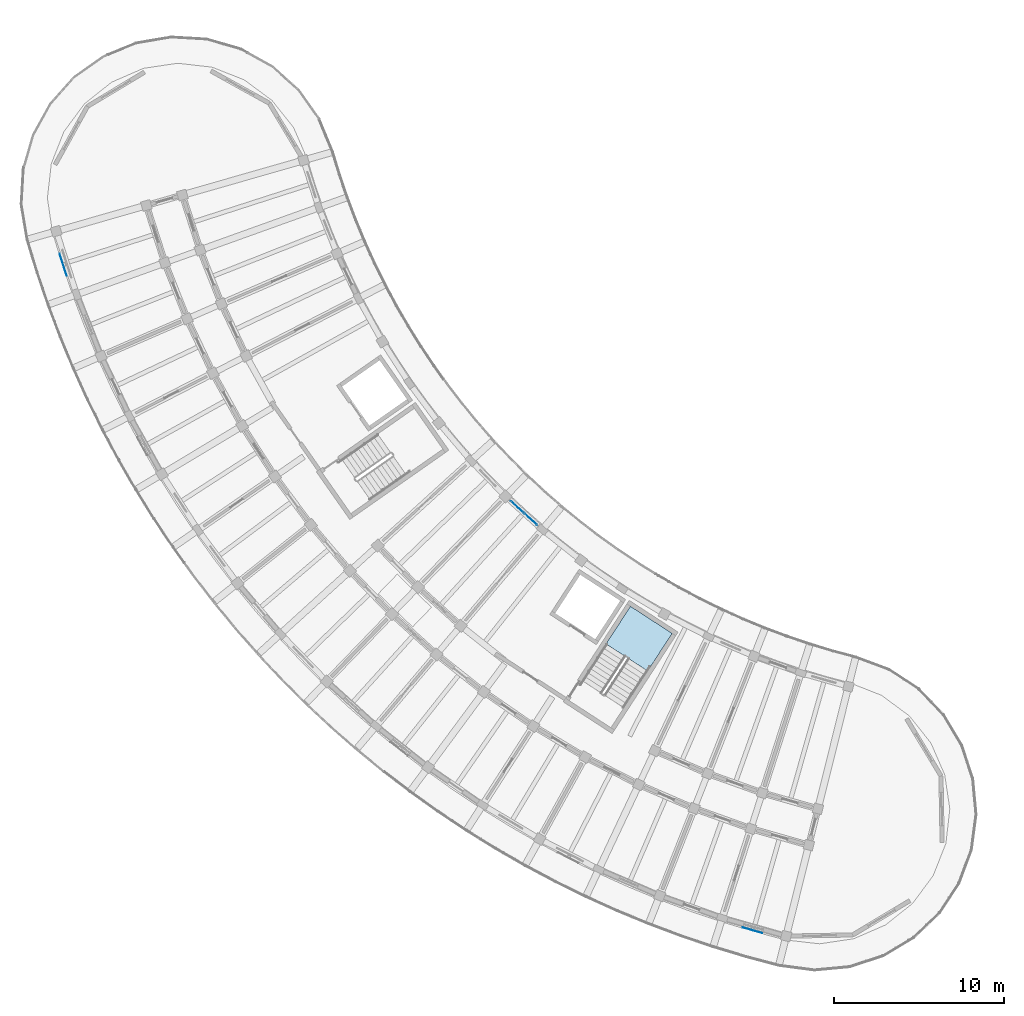
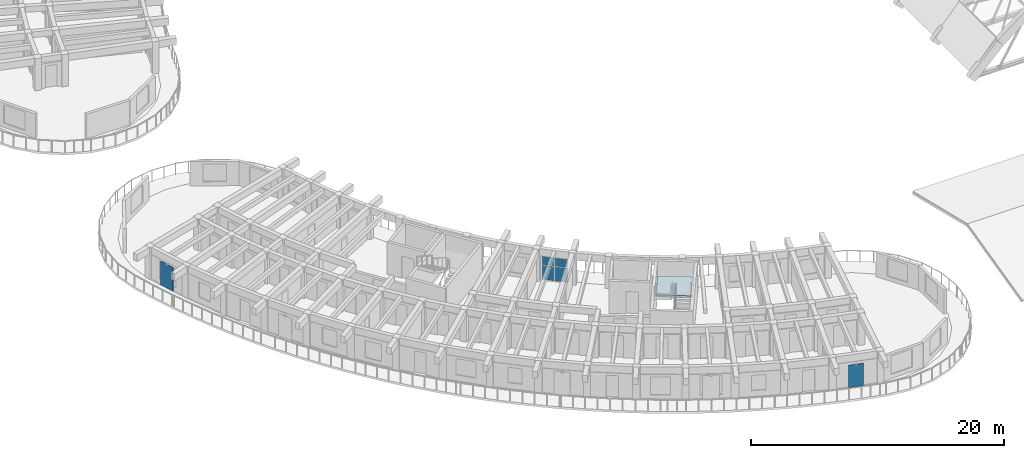
# One storey, part 24 of 81: 6 plates, 1 slab, 2 elements without a shape of their own.
"""IFC4 building model written with IfcOpenShell, lengths in metres."""

from ifc_helpers import new_model, si_unit, direction, frame, origin, origin_2d, place, context, subcontext, project, spatial, polyline, rectangle, outline, extrude, material, layer, layer_set, type_object, element, aggregate, save


model = new_model("IFC4")

# Units and contexts
model_context = context("Model", 3, precision=1e-05, world=origin(), true_north=direction((0.0, 1.0)))
body_context = subcontext(model_context, "Body", "Model", "MODEL_VIEW")
ifc_project = project(units=[si_unit("LENGTHUNIT", "METRE"), si_unit("AREAUNIT", "SQUARE_METRE"), si_unit("VOLUMEUNIT", "CUBIC_METRE"), si_unit("PLANEANGLEUNIT", "RADIAN"), si_unit("MASSUNIT", "GRAM", prefix="KILO")], contexts=[model_context])

# Site, building, storey
site_placement = place(None, origin())
site = spatial("IfcSite", under=ifc_project, at=site_placement, CompositionType="ELEMENT")
building_placement = place(site_placement, origin())
building = spatial("IfcBuilding", under=site, at=building_placement, Name="Tanwirah Colonnade Gardens", CompositionType="ELEMENT")
storey_placement = place(building_placement, frame((0.0, 0.0, 8.840087890625)))
storey = spatial("IfcBuildingStorey", under=building, at=storey_placement, Name="L02", CompositionType="ELEMENT", Elevation=8.840087890625)

# Curtain wall, plates
ifc_material_1 = material(Name="Bronze-anodised aluminium and solar-control low-E glass", Category="aluminium")
curtain_wall_type = type_object("IfcCurtainWallType", Name="CW-GDN", PredefinedType="NOTDEFINED", material=ifc_material_1)
curtain_wall_placement = place(storey_placement, origin())
curtain_wall = element("IfcCurtainWall", 1, at=curtain_wall_placement, inside=storey, type_object=curtain_wall_type, Name="Curtain Wall CW-C-L02-IN-08", PredefinedType="NOTDEFINED")
ifc_material_2 = material(Name="Insulated bronze aluminium spandrel panel", Category="aluminium")
ifc_layer_1 = layer(ifc_material_2, 0.035888671875)
ifc_layer_set_1 = layer_set([ifc_layer_1], Name="Insulated bronze aluminium spandrel panel")
plate_type_1 = type_object("IfcPlateType", Name="CWP-SPN36", PredefinedType="CURTAIN_PANEL", material=ifc_layer_set_1)
plate_1_placement = place(storey_placement, frame((34.807373046875, 31.906005859375, 0.06494140625), z_axis=(0.0, 0.0, 1.0), x_axis=(0.741682643058, -0.670750964954, 0.0)))
plate_1 = element("IfcPlate", 2, at=plate_1_placement, type_object=plate_type_1, Name="CW-GDN panel 1.1", PredefinedType="CURTAIN_PANEL", context=body_context, shape_type="SweptSolid", body=[
    extrude(rectangle(XDim=0.996826171875, YDim=0.035888671875, at=origin_2d()), origin(), (0.0, 0.0, 1.0), 1.362548828125),
])
plate_2_placement = place(storey_placement, frame((34.807373046875, 31.906005859375, 1.492431640625), z_axis=(0.0, 0.0, 1.0), x_axis=(0.741682643058, -0.670750964954, 0.0)))
plate_2 = element("IfcPlate", 3, at=plate_2_placement, type_object=plate_type_1, Name="CW-GDN panel 1.2", PredefinedType="CURTAIN_PANEL", context=body_context, shape_type="SweptSolid", body=[
    extrude(rectangle(XDim=0.996826171875, YDim=0.035888671875, at=origin_2d()), origin(), (0.0, 0.0, 1.0), 0.79736328125),
])
plate_3_placement = place(storey_placement, frame((35.594970703125, 31.193603515625, 0.06494140625), z_axis=(0.0, 0.0, 1.0), x_axis=(0.741682643058, -0.670750964954, 0.0)))
plate_3 = element("IfcPlate", 4, at=plate_3_placement, type_object=plate_type_1, Name="CW-GDN panel 2.1", PredefinedType="CURTAIN_PANEL", context=body_context, shape_type="SweptSolid", body=[
    extrude(rectangle(XDim=0.996826171875, YDim=0.035888671875, at=origin_2d()), origin(), (0.0, 0.0, 1.0), 1.362548828125),
])
plate_4_placement = place(storey_placement, frame((35.594970703125, 31.193603515625, 1.492431640625), z_axis=(0.0, 0.0, 1.0), x_axis=(0.741682643058, -0.670750964954, 0.0)))
plate_4 = element("IfcPlate", 5, at=plate_4_placement, type_object=plate_type_1, Name="CW-GDN panel 2.2", PredefinedType="CURTAIN_PANEL", context=body_context, shape_type="SweptSolid", body=[
    extrude(rectangle(XDim=0.996826171875, YDim=0.035888671875, at=origin_2d()), origin(), (0.0, 0.0, 1.0), 0.79736328125),
])
aggregate(curtain_wall, [plate_1, plate_2, plate_3, plate_4])

# Plates
ifc_material_3 = material(Name="Laser-cut bronze aluminium solar screen plate", Category="aluminium")
ifc_layer_2 = layer(ifc_material_3, 0.01611328125)
ifc_layer_set_2 = layer_set([ifc_layer_2], Name="Laser-cut bronze aluminium solar screen plate")
plate_type_2 = type_object("IfcPlateType", Name="PLT-SCR16", PredefinedType="SHEET", material=ifc_layer_set_2)
plate_5_placement = place(storey_placement, frame((8.16162109375, 46.121826171875, 0.0), z_axis=(0.0, 0.0, 1.0), x_axis=(0.30694295016, -0.951727915608, 0.0)))
element("IfcPlate", 6, at=plate_5_placement, inside=storey, type_object=plate_type_2, Name="Perforated solar screen plate C-L02-00", PredefinedType="SHEET", context=body_context, shape_type="SweptSolid", body=[
    extrude(rectangle(XDim=1.35009765625, YDim=0.01611328125, at=origin_2d()), origin(), (0.0, 0.0, 1.0), 2.300048828125),
])
plate_6_placement = place(storey_placement, frame((48.61669921875, 7.054931640625, 0.0), z_axis=(0.0, 0.0, 1.0), x_axis=(0.961860770803, -0.273539499139, 0.0)))
element("IfcPlate", 7, at=plate_6_placement, inside=storey, type_object=plate_type_2, Name="Perforated solar screen plate C-L02-15", PredefinedType="SHEET", context=body_context, shape_type="SweptSolid", body=[
    extrude(rectangle(XDim=1.199951171875, YDim=0.01611328125, at=origin_2d()), origin(), (0.0, 0.0, 1.0), 2.159912109375),
])

# Stair, slab
ifc_material_4 = material(Name="Precast concrete C40/50", Category="concrete")
stair_type = type_object("IfcStairType", Name="ST-RES168", PredefinedType="HALF_TURN_STAIR", material=ifc_material_4)
stair_placement = place(storey_placement, origin())
stair = element("IfcStair", 8, at=stair_placement, inside=storey, type_object=stair_type, Name="L02 Block C Core 2 Exit Stair", PredefinedType="HALF_TURN_STAIR")
ifc_layer_3 = layer(ifc_material_4, 0.205078125)
ifc_layer_set_3 = layer_set([ifc_layer_3], Name="Precast concrete C40/50")
slab_type = type_object("IfcSlabType", Name="SL-LND-205", PredefinedType="LANDING", material=ifc_layer_set_3)
slab_placement = place(storey_placement, frame((0.0, 0.0, 1.474853515625)))
slab = element("IfcSlab", 9, at=slab_placement, type_object=slab_type, Name="ST-C2 landing 1", PredefinedType="LANDING", context=body_context, shape_type="SweptSolid", body=[
    extrude(outline(polyline([(42.467529296875, 22.27490234375), (43.902587890625, 24.48486328125), (41.45361328125, 26.0751953125), (40.0185546875, 23.865234375), (42.467529296875, 22.27490234375)])), origin(), (0.0, 0.0, 1.0), 0.205078125),
])
aggregate(stair, [slab])

save(model, "model.ifc")
